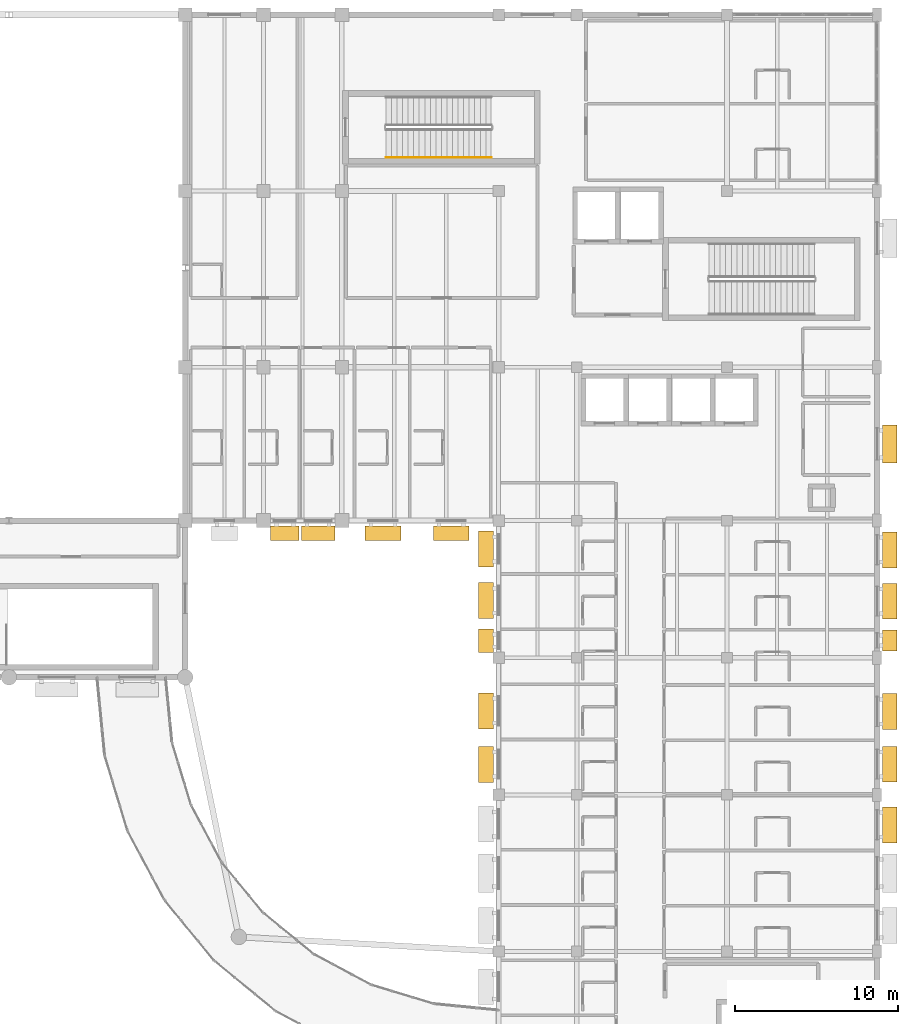
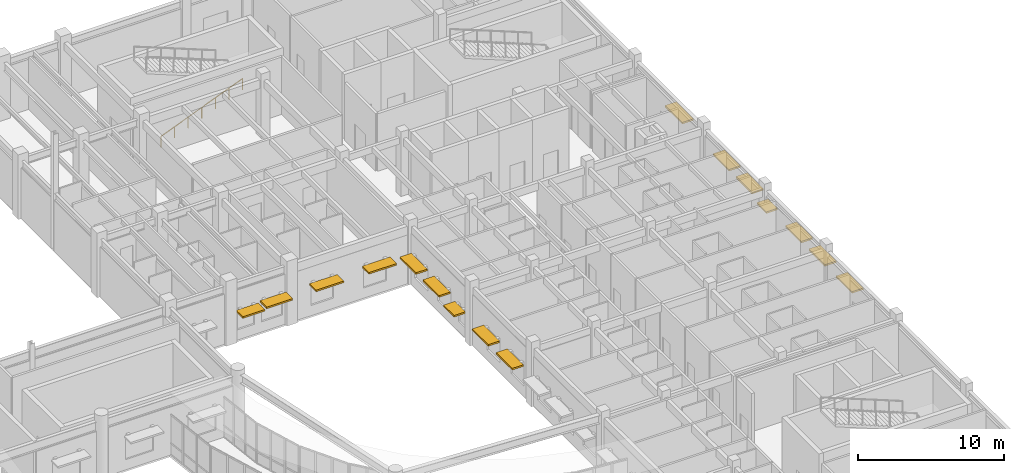
# One storey, part 67 of 68: 16 shading devices, 1 railing.
"""IFC4 building model written with IfcOpenShell, lengths in metres."""

from ifc_helpers import new_model, si_unit, direction, frame, origin, origin_2d, place, context, subcontext, project, spatial, rectangle, circle, extrude, material, type_object, element, save


model = new_model("IFC4")

# Units and contexts
model_context = context("Model", 3, precision=1e-05, world=origin(), true_north=direction((0.0, 1.0)))
body_context = subcontext(model_context, "Body", "Model", "MODEL_VIEW")
ifc_project = project(units=[si_unit("LENGTHUNIT", "METRE"), si_unit("AREAUNIT", "SQUARE_METRE"), si_unit("VOLUMEUNIT", "CUBIC_METRE"), si_unit("PLANEANGLEUNIT", "RADIAN"), si_unit("MASSUNIT", "GRAM", prefix="KILO")], contexts=[model_context])

# Site, building, storey
site_placement = place(None, origin())
site = spatial("IfcSite", under=ifc_project, at=site_placement, CompositionType="ELEMENT")
building_placement = place(site_placement, origin())
building = spatial("IfcBuilding", under=site, at=building_placement, Name="Veldera Park Congress Hotel", CompositionType="ELEMENT")
storey_placement = place(building_placement, frame((0.0, 0.0, 10.800048828125)))
storey = spatial("IfcBuildingStorey", under=building, at=storey_placement, Name="L02", CompositionType="ELEMENT", Elevation=10.800048828125)

# Railing
ifc_material_1 = material(Name="Steel ASTM A992 Gr.50", Category="steel")
railing_type = type_object("IfcRailingType", Name="HRL-920", PredefinedType="HANDRAIL", material=ifc_material_1)
railing_placement = place(storey_placement, frame((53.89990234375, 49.25, 0.135009765625)))
element("IfcRailing", 1, at=railing_placement, inside=storey, type_object=railing_type, Name="L02 ST3 stair handrail 1", PredefinedType="HANDRAIL", context=body_context, shape_type="SweptSolid", body=[
    extrude(circle(Radius=0.02392578125, at=origin_2d()), frame((0.0, 0.0, 0.89599609375), z_axis=(0.929423222467, 0.0, 0.369015546474), x_axis=(0.0, 1.0, 0.0)), (0.0, 0.0, 1.0), 6.95068359375),
    extrude(circle(Radius=0.02099609375, at=origin_2d()), origin(), (0.0, 0.0, 1.0), 0.871826171875),
    extrude(circle(Radius=0.02099609375, at=origin_2d()), frame((1.07666015625, 0.0, 0.427490234375)), (0.0, 0.0, 1.0), 0.871826171875),
    extrude(circle(Radius=0.02099609375, at=origin_2d()), frame((2.1533203125, 0.0, 0.85498046875)), (0.0, 0.0, 1.0), 0.871826171875),
    extrude(circle(Radius=0.02099609375, at=origin_2d()), frame((3.22998046875, 0.0, 1.282470703125)), (0.0, 0.0, 1.0), 0.871826171875),
    extrude(circle(Radius=0.02099609375, at=origin_2d()), frame((4.306884765625, 0.0, 1.7099609375)), (0.0, 0.0, 1.0), 0.871826171875),
    extrude(circle(Radius=0.02099609375, at=origin_2d()), frame((5.383544921875, 0.0, 2.137451171875)), (0.0, 0.0, 1.0), 0.871826171875),
    extrude(circle(Radius=0.02099609375, at=origin_2d()), frame((6.460205078125, 0.0, 2.56494140625)), (0.0, 0.0, 1.0), 0.871826171875),
])

# Shading devices
ifc_material_2 = material(Name="Glulam GL28h (NDS 24F-V4)", Category="wood")
shading_device_type = type_object("IfcShadingDeviceType", Name="SHD-SHF450", PredefinedType="AWNING", material=ifc_material_2)
shading_device_1_placement = place(storey_placement, frame((84.77001953125, 31.699951171875, 2.759765625), z_axis=(0.0, 0.0, 1.0), x_axis=(0.0, 1.0, 0.0)))
element("IfcShadingDevice", 2, at=shading_device_1_placement, inside=storey, type_object=shading_device_type, Name="Glulam Solar Shade 129", PredefinedType="AWNING", context=body_context, shape_type="SweptSolid", body=[
    extrude(rectangle(XDim=2.35009765625, YDim=0.89990234375, at=origin_2d()), origin(), (0.0, 0.0, 1.0), 0.139892578125),
])
for number, where, z_axis, x_axis, name in (
    (3, (60.030029296875, 12.069091796875, 2.7099609375), (0.0, 0.0, 1.0), (0.0, -1.0, 0.0), "Glulam Solar Shade 294"),
    (4, (60.030029296875, 15.340087890625, 2.7099609375), (0.0, 0.0, 1.0), (0.0, -1.0, 0.0), "Glulam Solar Shade 295"),
):
    element("IfcShadingDevice", number, at=place(storey_placement, frame(where, z_axis=z_axis, x_axis=x_axis)), inside=storey, type_object=shading_device_type, Name=name, PredefinedType="AWNING", context=body_context, shape_type="SweptSolid", body=[
        extrude(rectangle(XDim=2.199951171875, YDim=0.89990234375, at=origin_2d()), origin(), (0.0, 0.0, 1.0), 0.139892578125),
    ])
shading_device_2_placement = place(storey_placement, frame((60.030029296875, 19.64892578125, 2.31005859375), z_axis=(0.0, 0.0, 1.0), x_axis=(0.0, -1.0, 0.0)))
element("IfcShadingDevice", 5, at=shading_device_2_placement, inside=storey, type_object=shading_device_type, Name="Glulam Solar Shade 296", PredefinedType="AWNING", context=body_context, shape_type="SweptSolid", body=[
    extrude(rectangle(XDim=1.449951171875, YDim=0.89990234375, at=origin_2d()), origin(), (0.0, 0.0, 1.0), 0.139892578125),
])
for number, where, z_axis, x_axis, name in (
    (6, (60.030029296875, 22.10009765625, 2.7099609375), (0.0, 0.0, 1.0), (0.0, -1.0, 0.0), "Glulam Solar Shade 297"),
    (7, (60.030029296875, 25.2509765625, 2.7099609375), (0.0, 0.0, 1.0), (0.0, -1.0, 0.0), "Glulam Solar Shade 298"),
    (8, (84.77001953125, 8.35595703125, 2.7099609375), (0.0, 0.0, 1.0), (0.0, 1.0, 0.0), "Glulam Solar Shade 310"),
    (9, (84.77001953125, 12.073974609375, 2.7099609375), (0.0, 0.0, 1.0), (0.0, 1.0, 0.0), "Glulam Solar Shade 311"),
    (10, (84.77001953125, 15.300048828125, 2.7099609375), (0.0, 0.0, 1.0), (0.0, 1.0, 0.0), "Glulam Solar Shade 312"),
):
    element("IfcShadingDevice", number, at=place(storey_placement, frame(where, z_axis=z_axis, x_axis=x_axis)), inside=storey, type_object=shading_device_type, Name=name, PredefinedType="AWNING", context=body_context, shape_type="SweptSolid", body=[
        extrude(rectangle(XDim=2.199951171875, YDim=0.89990234375, at=origin_2d()), origin(), (0.0, 0.0, 1.0), 0.139892578125),
    ])
shading_device_3_placement = place(storey_placement, frame((84.77001953125, 19.654052734375, 2.259765625), z_axis=(0.0, 0.0, 1.0), x_axis=(0.0, 1.0, 0.0)))
element("IfcShadingDevice", 11, at=shading_device_3_placement, inside=storey, type_object=shading_device_type, Name="Glulam Solar Shade 313", PredefinedType="AWNING", context=body_context, shape_type="SweptSolid", body=[
    extrude(rectangle(XDim=1.300048828125, YDim=0.89990234375, at=origin_2d()), origin(), (0.0, 0.0, 1.0), 0.139892578125),
])
for number, where, z_axis, x_axis, name in (
    (12, (84.77001953125, 22.06005859375, 2.7099609375), (0.0, 0.0, 1.0), (0.0, 1.0, 0.0), "Glulam Solar Shade 314"),
    (13, (84.77001953125, 25.2060546875, 2.7099609375), (0.0, 0.0, 1.0), (0.0, 1.0, 0.0), "Glulam Solar Shade 315"),
):
    element("IfcShadingDevice", number, at=place(storey_placement, frame(where, z_axis=z_axis, x_axis=x_axis)), inside=storey, type_object=shading_device_type, Name=name, PredefinedType="AWNING", context=body_context, shape_type="SweptSolid", body=[
        extrude(rectangle(XDim=2.199951171875, YDim=0.89990234375, at=origin_2d()), origin(), (0.0, 0.0, 1.0), 0.139892578125),
    ])
shading_device_4_placement = place(storey_placement, frame((47.70654296875, 26.22998046875, 2.509765625), z_axis=(0.0, 0.0, 1.0), x_axis=(1.0, 0.0, 0.0)))
element("IfcShadingDevice", 14, at=shading_device_4_placement, inside=storey, type_object=shading_device_type, Name="Glulam Solar Shade 316", PredefinedType="AWNING", context=body_context, shape_type="SweptSolid", body=[
    extrude(rectangle(XDim=1.75, YDim=0.89990234375, at=origin_2d()), origin(), (0.0, 0.0, 1.0), 0.139892578125),
])
shading_device_5_placement = place(storey_placement, frame((49.743408203125, 26.22998046875, 2.66015625), z_axis=(0.0, 0.0, 1.0), x_axis=(1.0, 0.0, 0.0)))
element("IfcShadingDevice", 15, at=shading_device_5_placement, inside=storey, type_object=shading_device_type, Name="Glulam Solar Shade 317", PredefinedType="AWNING", context=body_context, shape_type="SweptSolid", body=[
    extrude(rectangle(XDim=2.050048828125, YDim=0.89990234375, at=origin_2d()), origin(), (0.0, 0.0, 1.0), 0.139892578125),
])
for number, where, z_axis, x_axis, name in (
    (16, (53.719970703125, 26.22998046875, 2.7099609375), (0.0, 0.0, 1.0), (1.0, 0.0, 0.0), "Glulam Solar Shade 318"),
    (17, (57.89990234375, 26.22998046875, 2.7099609375), (0.0, 0.0, 1.0), (1.0, 0.0, 0.0), "Glulam Solar Shade 319"),
):
    element("IfcShadingDevice", number, at=place(storey_placement, frame(where, z_axis=z_axis, x_axis=x_axis)), inside=storey, type_object=shading_device_type, Name=name, PredefinedType="AWNING", context=body_context, shape_type="SweptSolid", body=[
        extrude(rectangle(XDim=2.199951171875, YDim=0.89990234375, at=origin_2d()), origin(), (0.0, 0.0, 1.0), 0.139892578125),
    ])

save(model, "model.ifc")
